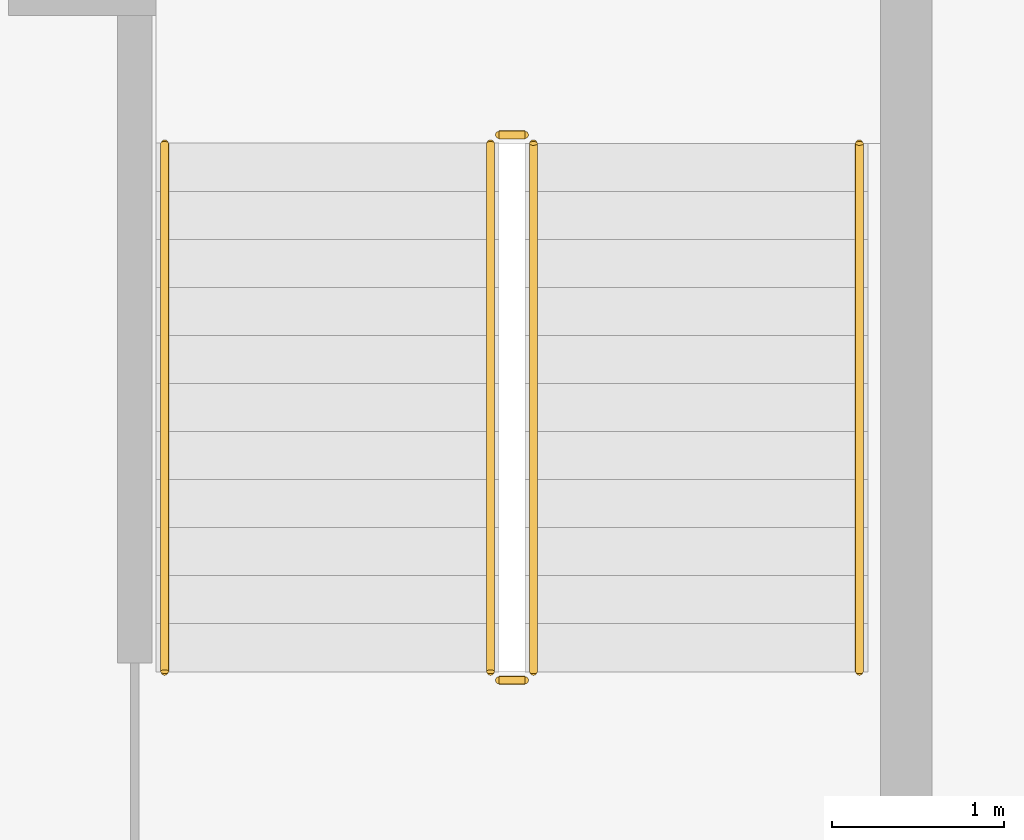
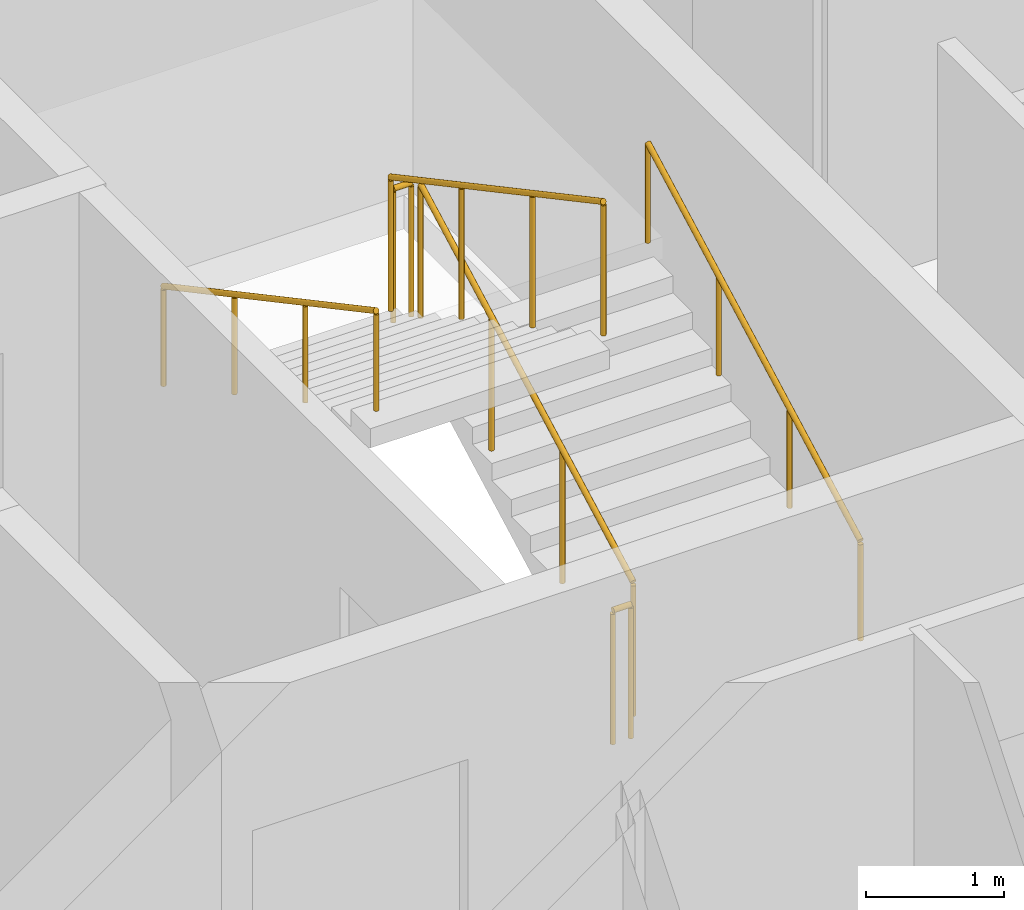
# One storey, part 15 of 15: 6 railings.
"""IFC4 building model written with IfcOpenShell, lengths in metres."""

from ifc_helpers import new_model, si_unit, direction, frame, origin, origin_2d, place, context, subcontext, project, spatial, circle, extrude, material, type_object, element, save


model = new_model("IFC4")

# Units and contexts
model_context = context("Model", 3, precision=1e-05, world=origin(), true_north=direction((0.0, 1.0)))
body_context = subcontext(model_context, "Body", "Model", "MODEL_VIEW")
ifc_project = project(units=[si_unit("LENGTHUNIT", "METRE"), si_unit("AREAUNIT", "SQUARE_METRE"), si_unit("VOLUMEUNIT", "CUBIC_METRE"), si_unit("PLANEANGLEUNIT", "RADIAN"), si_unit("MASSUNIT", "GRAM", prefix="KILO")], contexts=[model_context])

# Site, building, storey
site_placement = place(None, origin())
site = spatial("IfcSite", under=ifc_project, at=site_placement, CompositionType="ELEMENT")
building_placement = place(site_placement, origin())
building = spatial("IfcBuilding", under=site, at=building_placement, Name="Caravel Reach Hotel and Residences", CompositionType="ELEMENT")
storey_placement = place(building_placement, frame((0.0, 0.0, 104.39990234375)))
storey = spatial("IfcBuildingStorey", under=building, at=storey_placement, Name="L25", CompositionType="ELEMENT", Elevation=104.39990234375)

# Railings
ifc_material_1 = material(Name="Steel balustrade with glass infill", Category="steel")
railing_type_1 = type_object("IfcRailingType", Name="Guard 1200", PredefinedType="GUARDRAIL", material=ifc_material_1)
railing_1_placement = place(storey_placement, frame((42.824951171875, 24.64990234375, 0.150146484375)))
element("IfcRailing", 1, at=railing_1_placement, inside=storey, type_object=railing_type_1, Name="L25 ST-B stair guard 1", PredefinedType="GUARDRAIL", context=body_context, shape_type="SweptSolid", body=[
    extrude(circle(Radius=0.02392578125, at=origin_2d()), frame((0.0, 0.0, 1.17578125), z_axis=(0.0, 0.881496589024, 0.472190389079), x_axis=(-1.0, 0.0, 0.0)), (0.0, 0.0, 1.0), 3.494140625),
    extrude(circle(Radius=0.02099609375, at=origin_2d()), origin(), (0.0, 0.0, 1.0), 1.15185546875),
    extrude(circle(Radius=0.02099609375, at=origin_2d()), frame((0.0, 1.026611328125, 0.550048828125)), (0.0, 0.0, 1.0), 1.15185546875),
    extrude(circle(Radius=0.02099609375, at=origin_2d()), frame((0.0, 2.053466796875, 1.099853515625)), (0.0, 0.0, 1.0), 1.15185546875),
    extrude(circle(Radius=0.02099609375, at=origin_2d()), frame((0.0, 3.080078125, 1.64990234375)), (0.0, 0.0, 1.0), 1.15185546875),
])
railing_2_placement = place(storey_placement, frame((42.77490234375, 27.780029296875, 1.800048828125)))
element("IfcRailing", 2, at=railing_2_placement, inside=storey, type_object=railing_type_1, Name="L25 ST-B stair guard 2", PredefinedType="GUARDRAIL", context=body_context, shape_type="SweptSolid", body=[
    extrude(circle(Radius=0.02392578125, at=origin_2d()), frame((0.0, 0.0, 1.17578125), z_axis=(-1.0, 0.0, 0.0), x_axis=(0.0, -1.0, 0.0)), (0.0, 0.0, 1.0), 0.14990234375),
    extrude(circle(Radius=0.02099609375, at=origin_2d()), origin(), (0.0, 0.0, 1.0), 1.15185546875),
    extrude(circle(Radius=0.02099609375, at=origin_2d()), frame((-0.14990234375, 0.0, 0.0)), (0.0, 0.0, 1.0), 1.15185546875),
])
railing_3_placement = place(storey_placement, frame((42.574951171875, 27.72998046875, 1.9501953125)))
element("IfcRailing", 3, at=railing_3_placement, inside=storey, type_object=railing_type_1, Name="L25 ST-B stair guard 3", PredefinedType="GUARDRAIL", context=body_context, shape_type="SweptSolid", body=[
    extrude(circle(Radius=0.02392578125, at=origin_2d()), frame((0.0, 0.0, 1.17578125), z_axis=(0.0, -0.881496589024, 0.472190389079), x_axis=(1.0, 0.0, 0.0)), (0.0, 0.0, 1.0), 3.494140625),
    extrude(circle(Radius=0.02099609375, at=origin_2d()), origin(), (0.0, 0.0, 1.0), 1.15185546875),
    extrude(circle(Radius=0.02099609375, at=origin_2d()), frame((0.0, -1.026611328125, 0.550048828125)), (0.0, 0.0, 1.0), 1.15185546875),
    extrude(circle(Radius=0.02099609375, at=origin_2d()), frame((0.0, -2.053466796875, 1.099853515625)), (0.0, 0.0, 1.0), 1.15185546875),
    extrude(circle(Radius=0.02099609375, at=origin_2d()), frame((0.0, -3.080078125, 1.64990234375)), (0.0, 0.0, 1.0), 1.15185546875),
])
railing_4_placement = place(storey_placement, frame((42.77490234375, 24.60009765625, 0.0)))
element("IfcRailing", 4, at=railing_4_placement, inside=storey, type_object=railing_type_1, Name="L25 ST-B stair guard 4", PredefinedType="GUARDRAIL", context=body_context, shape_type="SweptSolid", body=[
    extrude(circle(Radius=0.02392578125, at=origin_2d()), frame((0.0, 0.0, 1.17578125), z_axis=(-1.0, 0.0, 0.0), x_axis=(0.0, -1.0, 0.0)), (0.0, 0.0, 1.0), 0.14990234375),
    extrude(circle(Radius=0.02099609375, at=origin_2d()), origin(), (0.0, 0.0, 1.0), 1.15185546875),
    extrude(circle(Radius=0.02099609375, at=origin_2d()), frame((-0.14990234375, 0.0, 0.0)), (0.0, 0.0, 1.0), 1.15185546875),
])
ifc_material_2 = material(Name="Stainless steel handrail", Category="steel")
railing_type_2 = type_object("IfcRailingType", Name="Handrail 900", PredefinedType="HANDRAIL", material=ifc_material_2)
railing_5_placement = place(storey_placement, frame((44.72509765625, 24.64990234375, 0.150146484375)))
element("IfcRailing", 5, at=railing_5_placement, inside=storey, type_object=railing_type_2, Name="L25 ST-B stair handrail 1", PredefinedType="HANDRAIL", context=body_context, shape_type="SweptSolid", body=[
    extrude(circle(Radius=0.02392578125, at=origin_2d()), frame((0.0, 0.0, 0.8759765625), z_axis=(0.0, 0.881496589024, 0.472190389079), x_axis=(-1.0, 0.0, 0.0)), (0.0, 0.0, 1.0), 3.494140625),
    extrude(circle(Radius=0.02099609375, at=origin_2d()), origin(), (0.0, 0.0, 1.0), 0.851806640625),
    extrude(circle(Radius=0.02099609375, at=origin_2d()), frame((0.0, 1.026611328125, 0.550048828125)), (0.0, 0.0, 1.0), 0.851806640625),
    extrude(circle(Radius=0.02099609375, at=origin_2d()), frame((0.0, 2.053466796875, 1.099853515625)), (0.0, 0.0, 1.0), 0.851806640625),
    extrude(circle(Radius=0.02099609375, at=origin_2d()), frame((0.0, 3.080078125, 1.64990234375)), (0.0, 0.0, 1.0), 0.851806640625),
])
railing_6_placement = place(storey_placement, frame((40.675048828125, 27.72998046875, 1.9501953125)))
element("IfcRailing", 6, at=railing_6_placement, inside=storey, type_object=railing_type_2, Name="L25 ST-B stair handrail 2", PredefinedType="HANDRAIL", context=body_context, shape_type="SweptSolid", body=[
    extrude(circle(Radius=0.02392578125, at=origin_2d()), frame((0.0, 0.0, 0.8759765625), z_axis=(0.0, -0.881496589024, 0.472190389079), x_axis=(1.0, 0.0, 0.0)), (0.0, 0.0, 1.0), 3.494140625),
    extrude(circle(Radius=0.02099609375, at=origin_2d()), origin(), (0.0, 0.0, 1.0), 0.851806640625),
    extrude(circle(Radius=0.02099609375, at=origin_2d()), frame((0.0, -1.026611328125, 0.550048828125)), (0.0, 0.0, 1.0), 0.851806640625),
    extrude(circle(Radius=0.02099609375, at=origin_2d()), frame((0.0, -2.053466796875, 1.099853515625)), (0.0, 0.0, 1.0), 0.851806640625),
    extrude(circle(Radius=0.02099609375, at=origin_2d()), frame((0.0, -3.080078125, 1.64990234375)), (0.0, 0.0, 1.0), 0.851806640625),
])

save(model, "model.ifc")
